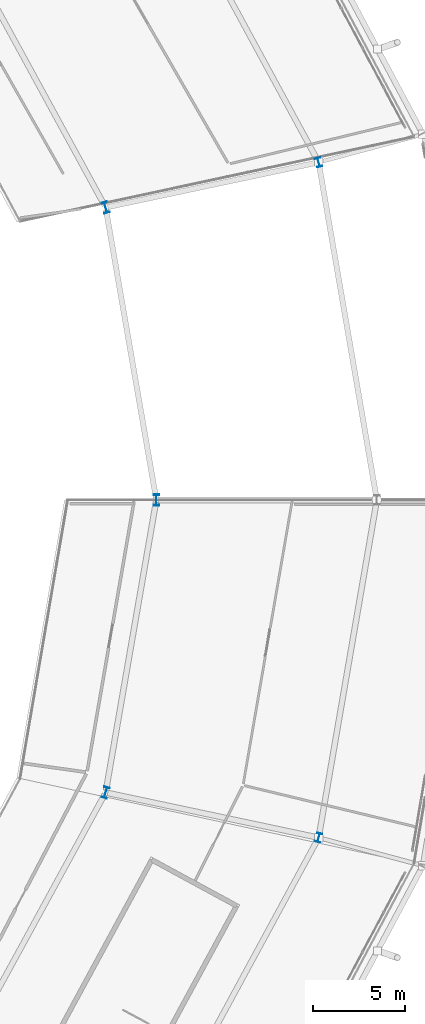
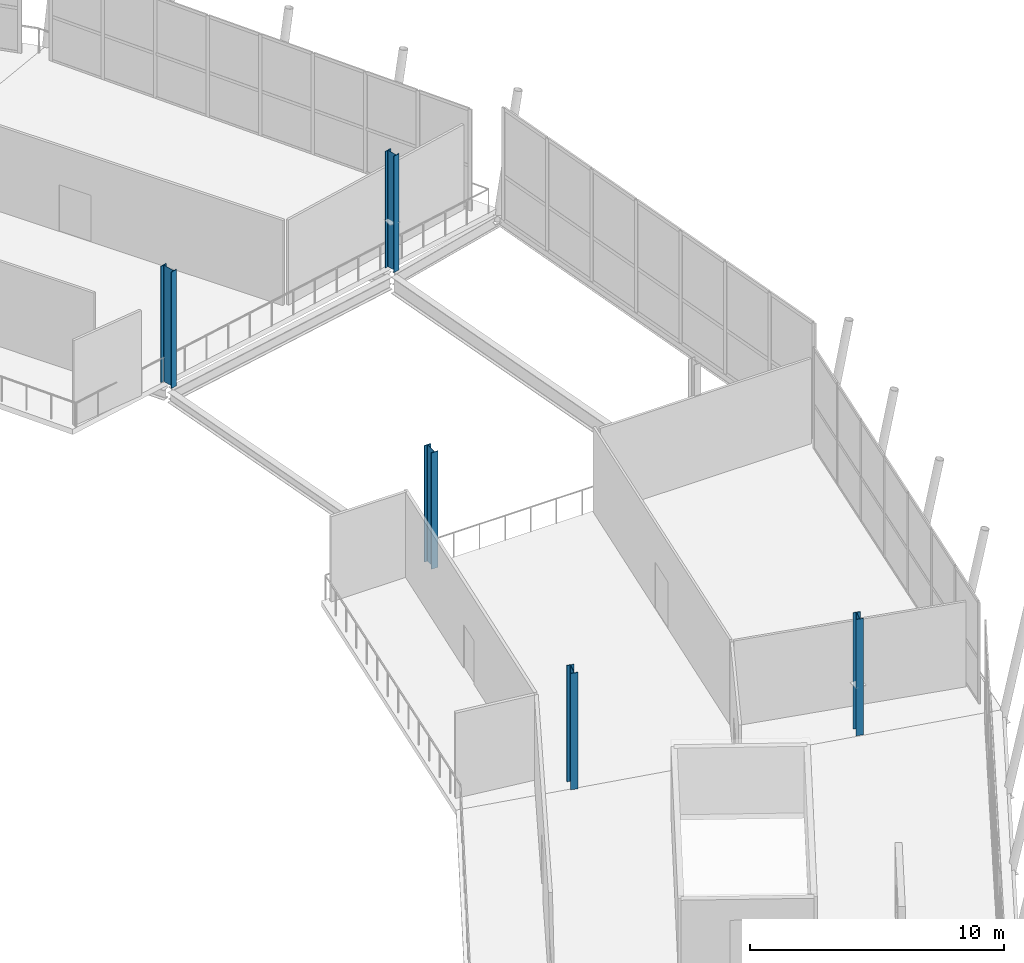
# One storey, part 7 of 99: 5 columns.
"""IFC4 building model written with IfcOpenShell, lengths in metres."""

from ifc_helpers import new_model, si_unit, direction, frame, origin, origin_2d, place, context, subcontext, project, spatial, i_section, extrude, material, material_profile, profile_set, type_object, element, save


model = new_model("IFC4")

# Units and contexts
model_context = context("Model", 3, precision=1e-05, world=origin(), true_north=direction((0.0, 1.0)))
body_context = subcontext(model_context, "Body", "Model", "MODEL_VIEW")
ifc_project = project(units=[si_unit("LENGTHUNIT", "METRE"), si_unit("AREAUNIT", "SQUARE_METRE"), si_unit("VOLUMEUNIT", "CUBIC_METRE"), si_unit("PLANEANGLEUNIT", "RADIAN"), si_unit("MASSUNIT", "GRAM", prefix="KILO")], contexts=[model_context])

# Site, building, storey
site_placement = place(None, origin())
site = spatial("IfcSite", under=ifc_project, at=site_placement, CompositionType="ELEMENT")
building_placement = place(site_placement, origin())
building = spatial("IfcBuilding", under=site, at=building_placement, Name="Zlatoyarsky Gate Stadium", CompositionType="ELEMENT")
storey_placement = place(building_placement, frame((0.0, 0.0, 26.199951171875)))
storey = spatial("IfcBuildingStorey", under=building, at=storey_placement, Name="L05", CompositionType="ELEMENT", Elevation=26.199951171875)

# Columns
ifc_material = material(Name="Steel S355", Category="steel")
ifc_material_profile_1 = material_profile(ifc_material, i_section(OverallWidth=0.300048828125, OverallDepth=0.5, WebThickness=0.014404296875, FlangeThickness=0.028076171875, FilletRadius=0.027099609375, at=origin_2d()), Name="HEB 500")
ifc_profile_set_1 = profile_set([ifc_material_profile_1], Name="Steel S355")
column_type_1 = type_object("IfcColumnType", Name="STEEL COLUMN HEB 500", PredefinedType="COLUMN", material=ifc_profile_set_1)
for number, where, z_axis, x_axis, name in (
    (1, (200.8310546875, 98.376220703125, 0.0), (0.0, 0.0, 1.0), (0.965925826289, 0.258819045103, 0.0), "Column ST-C500 RC-01 on L05"),
    (2, (200.8310546875, 61.623779296875, 0.0), (0.0, 0.0, 1.0), (0.965925826289, -0.258819045103, 0.0), "Column ST-C500 RC-23 on L05"),
):
    element("IfcColumn", number, at=place(storey_placement, frame(where, z_axis=z_axis, x_axis=x_axis)), inside=storey, type_object=column_type_1, Name=name, PredefinedType="COLUMN", context=body_context, shape_type="SweptSolid", body=[
        extrude(i_section(OverallWidth=0.300048828125, OverallDepth=0.5, WebThickness=0.014404296875, FlangeThickness=0.028076171875, FilletRadius=0.027099609375, at=origin_2d()), origin(), (0.0, 0.0, 1.0), 5.60009765625),
    ])
ifc_material_profile_2 = material_profile(ifc_material, i_section(OverallWidth=0.300048828125, OverallDepth=0.60009765625, WebThickness=0.015380859375, FlangeThickness=0.030029296875, FilletRadius=0.027099609375, at=origin_2d()), Name="HEB 600")
ifc_profile_set_2 = profile_set([ifc_material_profile_2], Name="Steel S355")
column_type_2 = type_object("IfcColumnType", Name="STEEL COLUMN HEB 600", PredefinedType="COLUMN", material=ifc_profile_set_2)
for number, where, z_axis, x_axis, name in (
    (3, (192.0, 80.0, 0.0), (0.0, 0.0, 1.0), (1.0, 0.0, 0.0), "Column ST-C600 RB-00 on L05"),
    (4, (189.239990234375, 95.91748046875, 0.0), (0.0, 0.0, 1.0), (0.965925826289, 0.258819045103, 0.0), "Column ST-C600 RB-01 on L05"),
    (5, (189.239990234375, 64.08251953125, 0.0), (0.0, 0.0, 1.0), (0.965925826289, -0.258819045103, 0.0), "Column ST-C600 RB-23 on L05"),
):
    element("IfcColumn", number, at=place(storey_placement, frame(where, z_axis=z_axis, x_axis=x_axis)), inside=storey, type_object=column_type_2, Name=name, PredefinedType="COLUMN", context=body_context, shape_type="SweptSolid", body=[
        extrude(i_section(OverallWidth=0.300048828125, OverallDepth=0.60009765625, WebThickness=0.015380859375, FlangeThickness=0.030029296875, FilletRadius=0.027099609375, at=origin_2d()), origin(), (0.0, 0.0, 1.0), 5.60009765625),
    ])

save(model, "model.ifc")
